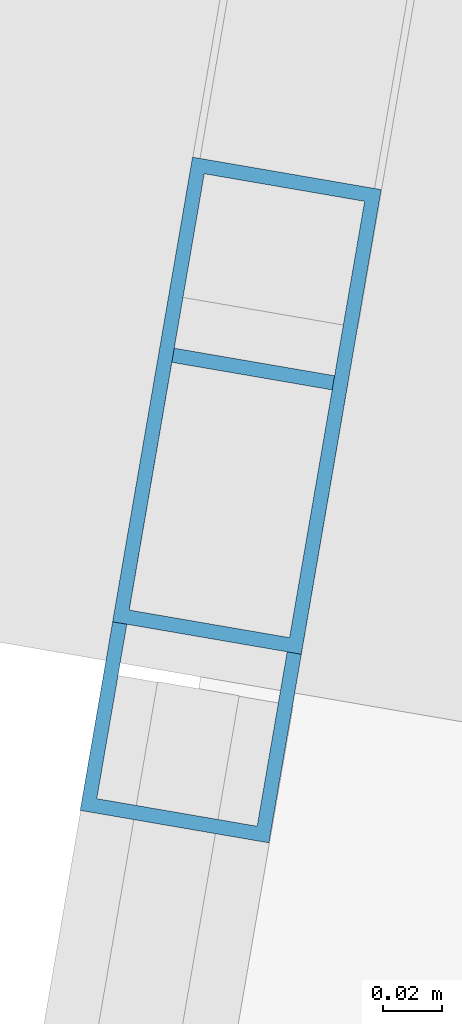
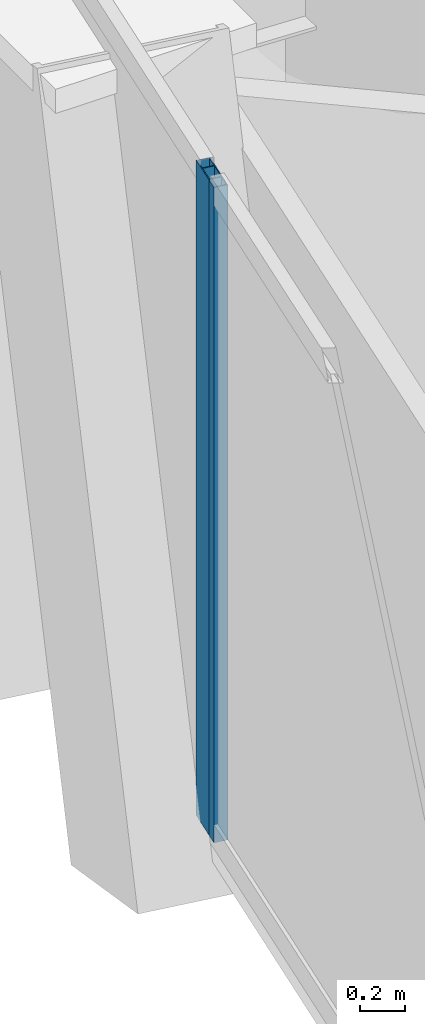
# One storey, part 4 of 21: 2 members, 2 elements without a shape of their own.
"""IFC4 building model written with IfcOpenShell, lengths in metres."""

from ifc_helpers import new_model, si_unit, direction, frame, origin, origin_2d, place, context, subcontext, project, spatial, hollow_rectangle, extrude, material, layer, layer_set, material_profile, profile_set, type_object, element, aggregate, save


model = new_model("IFC4")

# Units and contexts
model_context = context("Model", 3, precision=1e-05, world=origin(), true_north=direction((0.0, 1.0)))
body_context = subcontext(model_context, "Body", "Model", "MODEL_VIEW")
ifc_project = project(units=[si_unit("LENGTHUNIT", "METRE"), si_unit("AREAUNIT", "SQUARE_METRE"), si_unit("VOLUMEUNIT", "CUBIC_METRE"), si_unit("PLANEANGLEUNIT", "RADIAN"), si_unit("MASSUNIT", "GRAM", prefix="KILO")], contexts=[model_context])

# Site, building, storey
site_placement = place(None, origin())
site = spatial("IfcSite", under=ifc_project, at=site_placement, CompositionType="ELEMENT")
building_placement = place(site_placement, origin())
building = spatial("IfcBuilding", under=site, at=building_placement, Name="Qianvela Tower", CompositionType="ELEMENT")
storey_placement = place(building_placement, frame((0.0, 0.0, 105.199951171875)))
storey = spatial("IfcBuildingStorey", under=building, at=storey_placement, Name="L26", CompositionType="ELEMENT", Elevation=105.199951171875)

# Curtain wall, member
ifc_material_1 = material(Name="Anodised Architectural Aluminium and Insulated Spandrel Panel", Category="aluminium")
ifc_layer_1 = layer(ifc_material_1, 0.179931640625)
ifc_layer_set_1 = layer_set([ifc_layer_1], Name="Anodised Architectural Aluminium and Insulated Spandrel Panel")
curtain_wall_type_1 = type_object("IfcCurtainWallType", Name="CW-BRACEBAY", PredefinedType="USERDEFINED", material=ifc_layer_set_1)
curtain_wall_1_placement = place(storey_placement, origin())
curtain_wall_1 = element("IfcCurtainWall", 1, at=curtain_wall_1_placement, inside=storey, type_object=curtain_wall_type_1, Name="L26 CW-BRACEBAY Curtain Wall 04B", ObjectType="CURTAIN_WALL_SYSTEM", PredefinedType="USERDEFINED")
ifc_material_2 = material(Name="Anodised Architectural Aluminium 6063-T6", Category="aluminium")
ifc_material_profile_1 = material_profile(ifc_material_2, hollow_rectangle(XDim=0.06494140625, YDim=0.159912109375, WallThickness=0.0048828125, at=origin_2d()), Name="ALU-MULL-65x160")
ifc_profile_set_1 = profile_set([ifc_material_profile_1], Name="Anodised Architectural Aluminium 6063-T6")
member_type_1 = type_object("IfcMemberType", Name="CW-BRACEBAY-MULL", PredefinedType="MULLION", material=ifc_profile_set_1)
member_1_placement = place(storey_placement, frame((20.760498046875, 26.01953125, 0.0), z_axis=(0.0, 0.0, 1.0), x_axis=(0.985528042009, -0.169512472737, 0.0)))
member_1 = element("IfcMember", 2, at=member_1_placement, type_object=member_type_1, Name="CW-9 mullion 2", PredefinedType="MULLION", context=body_context, shape_type="SweptSolid", body=[
    extrude(hollow_rectangle(XDim=0.06494140625, YDim=0.159912109375, WallThickness=0.0048828125, at=origin_2d()), origin(), (0.0, 0.0, 1.0), 3.52001953125),
])
aggregate(curtain_wall_1, [member_1])

ifc_material_3 = material(Name="Anodised Architectural Aluminium and Low-E Glass", Category="aluminium")
ifc_layer_2 = layer(ifc_material_3, 0.169921875)
ifc_layer_set_2 = layer_set([ifc_layer_2], Name="Anodised Architectural Aluminium and Low-E Glass")
curtain_wall_type_2 = type_object("IfcCurtainWallType", Name="CW-COLIV-Z34", PredefinedType="USERDEFINED", material=ifc_layer_set_2)
curtain_wall_2_placement = place(storey_placement, origin())
curtain_wall_2 = element("IfcCurtainWall", 3, at=curtain_wall_2_placement, inside=storey, type_object=curtain_wall_type_2, Name="L26 CW-COLIV-Z34 Curtain Wall 04C", ObjectType="CURTAIN_WALL_SYSTEM", PredefinedType="USERDEFINED")
ifc_material_4 = material(Name="Anodised Architectural Aluminium 6063-T6", Category="aluminium")
ifc_material_profile_2 = material_profile(ifc_material_4, hollow_rectangle(XDim=0.06494140625, YDim=0.159912109375, WallThickness=0.0048828125, at=origin_2d()), Name="ALU-MULL-65x160")
ifc_profile_set_2 = profile_set([ifc_material_profile_2], Name="Anodised Architectural Aluminium 6063-T6")
member_type_2 = type_object("IfcMemberType", Name="CW-COLIV-Z34-MULL", PredefinedType="MULLION", material=ifc_profile_set_2)
member_2_placement = place(storey_placement, frame((20.74951171875, 25.95556640625, 0.0), z_axis=(0.0, 0.0, 1.0), x_axis=(0.985526753721, -0.16951996254, 0.0)))
member_2 = element("IfcMember", 4, at=member_2_placement, type_object=member_type_2, Name="CW-4 mullion 1", PredefinedType="MULLION", context=body_context, shape_type="SweptSolid", body=[
    extrude(hollow_rectangle(XDim=0.06494140625, YDim=0.159912109375, WallThickness=0.0048828125, at=origin_2d()), origin(), (0.0, 0.0, 1.0), 3.52001953125),
])
aggregate(curtain_wall_2, [member_2])

save(model, "model.ifc")
